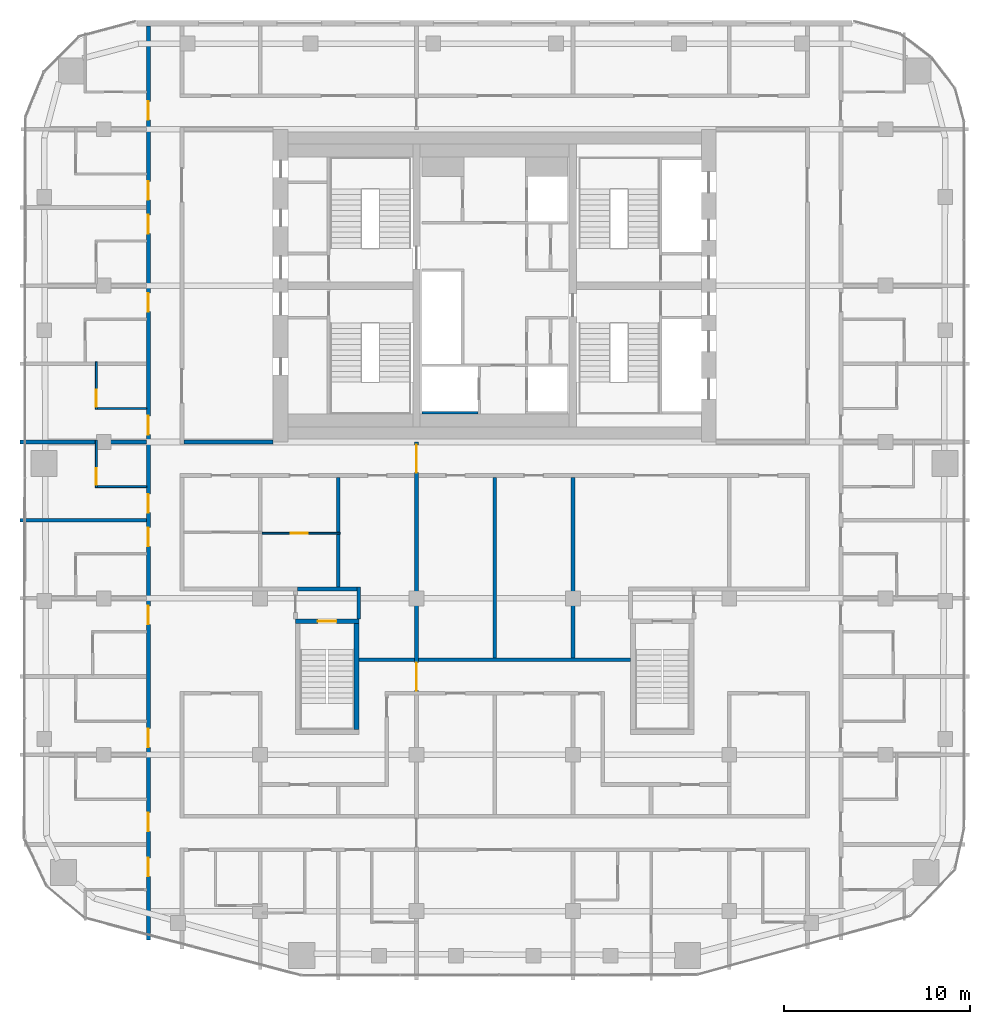
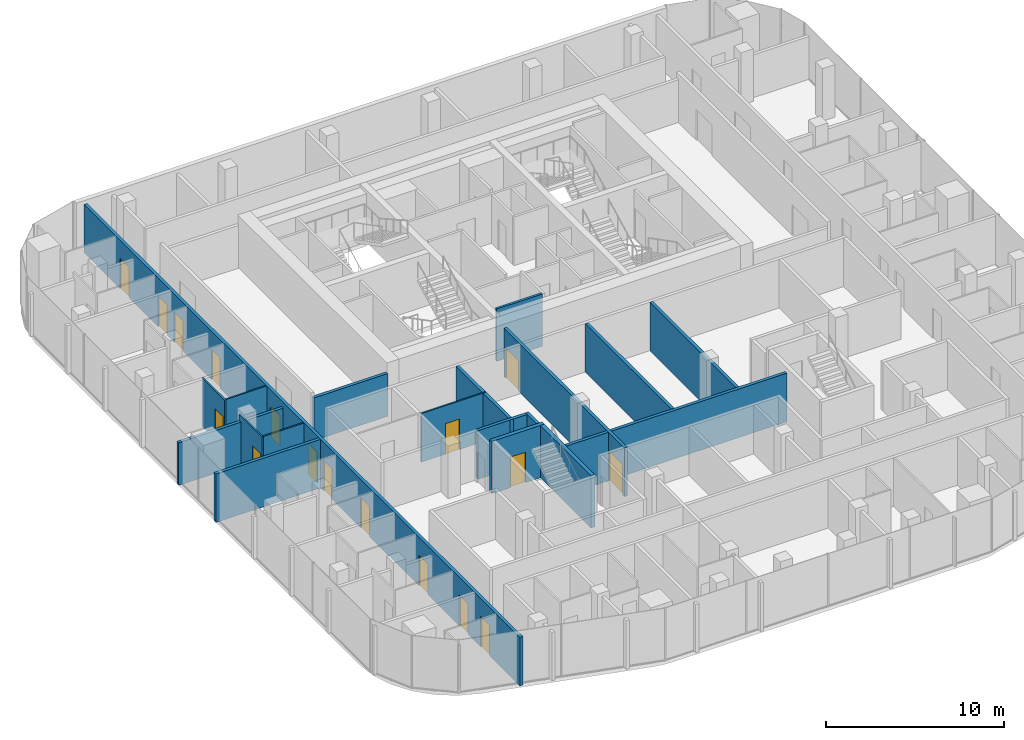
# One storey, part 15 of 22: 19 walls, 17 doors, 17 openings.
"""IFC4 building model written with IfcOpenShell, lengths in metres."""

from ifc_helpers import new_model, si_unit, direction, frame, frame_2d, origin, place, context, subcontext, project, spatial, rectangle, extrude, material, layer, layer_set, type_object, element, fill, save


model = new_model("IFC4")

# Units and contexts
model_context = context("Model", 3, precision=1e-05, world=origin(), true_north=direction((0.0, 1.0)))
body_context = subcontext(model_context, "Body", "Model", "MODEL_VIEW")
ifc_project = project(units=[si_unit("LENGTHUNIT", "METRE"), si_unit("AREAUNIT", "SQUARE_METRE"), si_unit("VOLUMEUNIT", "CUBIC_METRE"), si_unit("PLANEANGLEUNIT", "RADIAN"), si_unit("MASSUNIT", "GRAM", prefix="KILO")], contexts=[model_context])

# Site, building, storey
site_placement = place(None, origin())
site = spatial("IfcSite", under=ifc_project, at=site_placement, CompositionType="ELEMENT")
building_placement = place(site_placement, origin())
building = spatial("IfcBuilding", under=site, at=building_placement, Name="Marenta Gate Hotel Tower", CompositionType="ELEMENT")
storey_placement = place(building_placement, frame((0.0, 0.0, 187.699951171875)))
storey = spatial("IfcBuildingStorey", under=building, at=storey_placement, Name="L42", CompositionType="ELEMENT", Elevation=187.699951171875)

# Wall, openings, doors
ifc_material_1 = material(Name="Concrete blockwork", Category="masonry")
ifc_layer_1 = layer(ifc_material_1, 0.199951171875)
ifc_layer_set_1 = layer_set([ifc_layer_1], Name="Concrete blockwork")
wall_type_1 = type_object("IfcWallType", Name="Compartment wall 200 REI 180", PredefinedType="PARTITIONING", material=ifc_layer_set_1)
wall_1_placement = place(storey_placement, frame((-4.199951171875, -13.60009765625, 0.0), z_axis=(0.0, 0.0, 1.0), x_axis=(0.0, 1.0, 0.0)))
wall_1 = element("IfcWall", 1, at=wall_1_placement, inside=storey, type_object=wall_type_1, Name="L42-PTN-W081", PredefinedType="PARTITIONING", context=body_context, shape_type="SweptSolid", body=[
    extrude(rectangle(XDim=13.60009765625, YDim=0.199951171875, at=frame_2d((6.800048828125, 0.0))), origin(), (0.0, 0.0, 1.0), 3.340087890625),
])
opening_1_placement = place(wall_1_placement, frame((11.949951171875, 0.0, 0.0)))
opening_1 = element("IfcOpeningElement", 2, at=opening_1_placement, cuts=wall_1, Name="Opening G15-FD2", PredefinedType="OPENING", context=body_context, shape_type="SweptSolid", body=[
    extrude(rectangle(XDim=1.5, YDim=2.10009765625, at=frame_2d((0.75, 1.050048828125))), frame((0.0, 0.10009765625, 0.0), z_axis=(0.0, -1.0, 0.0), x_axis=(1.0, 0.0, 0.0)), (0.0, 0.0, 1.0), 0.199951171875),
])
opening_2_placement = place(wall_1_placement, frame((0.25, 0.0, 0.0)))
opening_2 = element("IfcOpeningElement", 3, at=opening_2_placement, cuts=wall_1, Name="Opening G15-FD3", PredefinedType="OPENING", context=body_context, shape_type="SweptSolid", body=[
    extrude(rectangle(XDim=1.5, YDim=2.10009765625, at=frame_2d((0.75, 1.050048828125))), frame((0.0, 0.10009765625, 0.0), z_axis=(0.0, -1.0, 0.0), x_axis=(1.0, 0.0, 0.0)), (0.0, 0.0, 1.0), 0.199951171875),
])
ifc_material_2 = material(Name="Hollow steel door set", Category="steel")
door_type_1 = type_object("IfcDoorType", Name="Compartment fire door 1500x2100 EI 60", OperationType="DOUBLE_DOOR_DOUBLE_SWING", PredefinedType="DOOR", material=ifc_material_2)
door_1_placement = place(opening_1_placement, origin())
door_1 = element("IfcDoor", 4, at=door_1_placement, inside=storey, type_object=door_type_1, Name="L42-PD-FD02", OperationType="DOUBLE_DOOR_DOUBLE_SWING", OverallHeight=2.10009765625, OverallWidth=1.5, PredefinedType="DOOR", context=body_context, shape_type="SweptSolid", body=[
    extrude(rectangle(XDim=1.5, YDim=2.10009765625, at=frame_2d((0.75, 1.050048828125))), frame((0.0, 0.02490234375, 0.0), z_axis=(0.0, -1.0, 0.0), x_axis=(1.0, 0.0, 0.0)), (0.0, 0.0, 1.0), 0.050048828125),
])
fill(opening_1, door_1)
door_2_placement = place(opening_2_placement, origin())
door_2 = element("IfcDoor", 5, at=door_2_placement, inside=storey, type_object=door_type_1, Name="L42-PD-FD03", OperationType="DOUBLE_DOOR_DOUBLE_SWING", OverallHeight=2.10009765625, OverallWidth=1.5, PredefinedType="DOOR", context=body_context, shape_type="SweptSolid", body=[
    extrude(rectangle(XDim=1.5, YDim=2.10009765625, at=frame_2d((0.75, 1.050048828125))), frame((0.0, 0.02490234375, 0.0), z_axis=(0.0, -1.0, 0.0), x_axis=(1.0, 0.0, 0.0)), (0.0, 0.0, 1.0), 0.050048828125),
])
fill(opening_2, door_2)

# Walls
ifc_material_3 = material(Name="Concrete blockwork", Category="masonry")
ifc_layer_2 = layer(ifc_material_3, 0.199951171875)
ifc_layer_set_2 = layer_set([ifc_layer_2], Name="Concrete blockwork")
wall_type_2 = type_object("IfcWallType", Name="Core boundary wall 200 REI 180", PredefinedType="PARTITIONING", material=ifc_layer_set_2)
wall_2_placement = place(storey_placement, frame((-16.699951171875, 0.0, 0.0), z_axis=(0.0, 0.0, 1.0), x_axis=(1.0, 0.0, 0.0)))
element("IfcWall", 6, at=wall_2_placement, inside=storey, type_object=wall_type_2, Name="L42-CP-EW-WS", PredefinedType="PARTITIONING", context=body_context, shape_type="SweptSolid", body=[
    extrude(rectangle(XDim=4.800048828125, YDim=0.199951171875, at=frame_2d((2.39990234375, 0.0))), origin(), (0.0, 0.0, 1.0), 2.93994140625),
])
ifc_material_4 = material(Name="Concrete C40", Category="concrete")
ifc_layer_3 = layer(ifc_material_4, 0.14990234375)
ifc_layer_set_3 = layer_set([ifc_layer_3], Name="Concrete C40")
wall_type_3 = type_object("IfcWallType", Name="Core shaft wall 150 REI 180", PredefinedType="SHEAR", material=ifc_layer_set_3)
wall_3_placement = place(storey_placement, frame((-3.89990234375, 1.574951171875, 0.0), z_axis=(0.0, 0.0, 1.0), x_axis=(1.0, 0.0, 0.0)))
element("IfcWall", 7, at=wall_3_placement, inside=storey, type_object=wall_type_3, Name="L42-SHF-CW-W-ffs", PredefinedType="SHEAR", context=body_context, shape_type="SweptSolid", body=[
    extrude(rectangle(XDim=3.0, YDim=0.14990234375, at=frame_2d((1.5, 0.0))), origin(), (0.0, 0.0, 1.0), 3.60009765625),
])

# Wall, opening, door
ifc_material_5 = material(Name="Concrete C40", Category="concrete")
ifc_layer_4 = layer(ifc_material_5, 0.25)
ifc_layer_set_4 = layer_set([ifc_layer_4], Name="Concrete C40")
wall_type_4 = type_object("IfcWallType", Name="Remote stair enclosure wall 250 REI 180", PredefinedType="SHEAR", material=ifc_layer_set_4)
wall_4_placement = place(storey_placement, frame((-10.699951171875, -9.625, 0.10009765625), z_axis=(0.0, 0.0, 1.0), x_axis=(1.0, 0.0, 0.0)))
wall_4 = element("IfcWall", 8, at=wall_4_placement, inside=storey, type_object=wall_type_4, Name="L42-RS-Z3-1-W2", PredefinedType="SHEAR", context=body_context, shape_type="SweptSolid", body=[
    extrude(rectangle(XDim=3.39990234375, YDim=0.25, at=frame_2d((1.699951171875, 0.0))), origin(), (0.0, 0.0, 1.0), 3.599853515625),
])
opening_3_placement = place(wall_4_placement, frame((1.199951171875, 0.0, 0.0)))
opening_3 = element("IfcOpeningElement", 9, at=opening_3_placement, cuts=wall_4, Name="Opening VD", PredefinedType="OPENING", context=body_context, shape_type="SweptSolid", body=[
    extrude(rectangle(XDim=1.0, YDim=2.10009765625, at=frame_2d((0.5, 1.050048828125))), frame((0.0, 0.125, 0.0), z_axis=(0.0, -1.0, 0.0), x_axis=(1.0, 0.0, 0.0)), (0.0, 0.0, 1.0), 0.25),
])
ifc_material_6 = material(Name="Steel", Category="steel")
door_type_2 = type_object("IfcDoorType", Name="Stair vestibule door 1000x2100 FD60", OperationType="SINGLE_SWING_LEFT", PredefinedType="DOOR", material=ifc_material_6)
door_3_placement = place(opening_3_placement, origin())
door_3 = element("IfcDoor", 10, at=door_3_placement, inside=storey, type_object=door_type_2, Name="VD", OperationType="SINGLE_SWING_LEFT", OverallHeight=2.10009765625, OverallWidth=1.0, PredefinedType="DOOR", context=body_context, shape_type="SweptSolid", body=[
    extrude(rectangle(XDim=1.0, YDim=2.10009765625, at=frame_2d((0.5, 1.050048828125))), frame((0.0, 0.02490234375, 0.0), z_axis=(0.0, -1.0, 0.0), x_axis=(1.0, 0.0, 0.0)), (0.0, 0.0, 1.0), 0.050048828125),
])
fill(opening_3, door_3)

# Walls
wall_5_placement = place(storey_placement, frame((-7.425048828125, -15.449951171875, 0.10009765625), z_axis=(0.0, 0.0, 1.0), x_axis=(0.0, 1.0, 0.0)))
element("IfcWall", 11, at=wall_5_placement, inside=storey, type_object=wall_type_4, Name="L42-RS-Z3-1-W4", PredefinedType="SHEAR", context=body_context, shape_type="SweptSolid", body=[
    extrude(rectangle(XDim=5.699951171875, YDim=0.25, at=frame_2d((2.85009765625, 0.0))), origin(), (0.0, 0.0, 1.0), 3.599853515625),
])
ifc_material_7 = material(Name="Gypsum board on steel stud", Category="steel")
ifc_layer_5 = layer(ifc_material_7, 0.199951171875)
ifc_layer_set_5 = layer_set([ifc_layer_5], Name="Gypsum board on steel stud")
wall_type_5 = type_object("IfcWallType", Name="Room corridor wall 200 EI 60", PredefinedType="PARTITIONING", material=ifc_layer_set_5)
wall_6_placement = place(storey_placement, frame((-7.300048828125, -11.699951171875, 0.0), z_axis=(0.0, 0.0, 1.0), x_axis=(1.0, 0.0, 0.0)))
element("IfcWall", 12, at=wall_6_placement, inside=storey, type_object=wall_type_5, Name="L42-PTN-W045", PredefinedType="PARTITIONING", context=body_context, shape_type="SweptSolid", body=[
    extrude(rectangle(XDim=14.60009765625, YDim=0.199951171875, at=frame_2d((7.300048828125, 0.0))), origin(), (0.0, 0.0, 1.0), 3.340087890625),
])

# Wall, openings, doors
wall_7_placement = place(storey_placement, frame((-18.60009765625, -26.7509765625, 0.0), z_axis=(0.0, 0.0, 1.0), x_axis=(0.0, 1.0, 0.0)))
wall_7 = element("IfcWall", 13, at=wall_7_placement, inside=storey, type_object=wall_type_5, Name="L42-PTN-W112", PredefinedType="PARTITIONING", context=body_context, shape_type="SweptSolid", body=[
    extrude(rectangle(XDim=49.091064453125, YDim=0.199951171875, at=frame_2d((24.54541015625, 0.0))), origin(), (0.0, 0.0, 1.0), 3.340087890625),
])
opening_4_placement = place(wall_7_placement, frame((3.4130859375, 0.0, 0.0)))
opening_4 = element("IfcOpeningElement", 14, at=opening_4_placement, cuts=wall_7, Name="Opening G15-54", PredefinedType="OPENING", context=body_context, shape_type="SweptSolid", body=[
    extrude(rectangle(XDim=1.0, YDim=2.10009765625, at=frame_2d((0.5, 1.050048828125))), frame((0.0, 0.10009765625, 0.0), z_axis=(0.0, -1.0, 0.0), x_axis=(1.0, 0.0, 0.0)), (0.0, 0.0, 1.0), 0.199951171875),
])
opening_5_placement = place(wall_7_placement, frame((5.837890625, 0.0, 0.0)))
opening_5 = element("IfcOpeningElement", 15, at=opening_5_placement, cuts=wall_7, Name="Opening G15-56", PredefinedType="OPENING", context=body_context, shape_type="SweptSolid", body=[
    extrude(rectangle(XDim=1.0, YDim=2.10009765625, at=frame_2d((0.5, 1.050048828125))), frame((0.0, 0.10009765625, 0.0), z_axis=(0.0, -1.0, 0.0), x_axis=(1.0, 0.0, 0.0)), (0.0, 0.0, 1.0), 0.199951171875),
])
opening_6_placement = place(wall_7_placement, frame((10.35107421875, 0.0, 0.0)))
opening_6 = element("IfcOpeningElement", 16, at=opening_6_placement, cuts=wall_7, Name="Opening G15-58", PredefinedType="OPENING", context=body_context, shape_type="SweptSolid", body=[
    extrude(rectangle(XDim=1.0, YDim=2.10009765625, at=frame_2d((0.5, 1.050048828125))), frame((0.0, 0.10009765625, 0.0), z_axis=(0.0, -1.0, 0.0), x_axis=(1.0, 0.0, 0.0)), (0.0, 0.0, 1.0), 0.199951171875),
])
opening_7_placement = place(wall_7_placement, frame((16.950927734375, 0.0, 0.0)))
opening_7 = element("IfcOpeningElement", 17, at=opening_7_placement, cuts=wall_7, Name="Opening G15-60", PredefinedType="OPENING", context=body_context, shape_type="SweptSolid", body=[
    extrude(rectangle(XDim=1.0, YDim=2.10009765625, at=frame_2d((0.5, 1.050048828125))), frame((0.0, 0.10009765625, 0.0), z_axis=(0.0, -1.0, 0.0), x_axis=(1.0, 0.0, 0.0)), (0.0, 0.0, 1.0), 0.199951171875),
])
opening_8_placement = place(wall_7_placement, frame((21.15087890625, 0.0, 0.0)))
opening_8 = element("IfcOpeningElement", 18, at=opening_8_placement, cuts=wall_7, Name="Opening G15-62", PredefinedType="OPENING", context=body_context, shape_type="SweptSolid", body=[
    extrude(rectangle(XDim=1.0, YDim=2.10009765625, at=frame_2d((0.5, 1.050048828125))), frame((0.0, 0.10009765625, 0.0), z_axis=(0.0, -1.0, 0.0), x_axis=(1.0, 0.0, 0.0)), (0.0, 0.0, 1.0), 0.199951171875),
])
opening_9_placement = place(wall_7_placement, frame((22.950927734375, 0.0, 0.0)))
opening_9 = element("IfcOpeningElement", 19, at=opening_9_placement, cuts=wall_7, Name="Opening G15-64", PredefinedType="OPENING", context=body_context, shape_type="SweptSolid", body=[
    extrude(rectangle(XDim=1.0, YDim=2.10009765625, at=frame_2d((0.5, 1.050048828125))), frame((0.0, 0.10009765625, 0.0), z_axis=(0.0, -1.0, 0.0), x_axis=(1.0, 0.0, 0.0)), (0.0, 0.0, 1.0), 0.199951171875),
])
opening_10_placement = place(wall_7_placement, frame((27.15087890625, 0.0, 0.0)))
opening_10 = element("IfcOpeningElement", 20, at=opening_10_placement, cuts=wall_7, Name="Opening G15-66", PredefinedType="OPENING", context=body_context, shape_type="SweptSolid", body=[
    extrude(rectangle(XDim=1.0, YDim=2.10009765625, at=frame_2d((0.5, 1.050048828125))), frame((0.0, 0.10009765625, 0.0), z_axis=(0.0, -1.0, 0.0), x_axis=(1.0, 0.0, 0.0)), (0.0, 0.0, 1.0), 0.199951171875),
])
opening_11_placement = place(wall_7_placement, frame((33.7509765625, 0.0, 0.0)))
opening_11 = element("IfcOpeningElement", 21, at=opening_11_placement, cuts=wall_7, Name="Opening G15-68", PredefinedType="OPENING", context=body_context, shape_type="SweptSolid", body=[
    extrude(rectangle(XDim=1.0, YDim=2.10009765625, at=frame_2d((0.5, 1.050048828125))), frame((0.0, 0.10009765625, 0.0), z_axis=(0.0, -1.0, 0.0), x_axis=(1.0, 0.0, 0.0)), (0.0, 0.0, 1.0), 0.199951171875),
])
opening_12_placement = place(wall_7_placement, frame((37.950927734375, 0.0, 0.0)))
opening_12 = element("IfcOpeningElement", 22, at=opening_12_placement, cuts=wall_7, Name="Opening G15-70", PredefinedType="OPENING", context=body_context, shape_type="SweptSolid", body=[
    extrude(rectangle(XDim=1.0, YDim=2.10009765625, at=frame_2d((0.5, 1.050048828125))), frame((0.0, 0.10009765625, 0.0), z_axis=(0.0, -1.0, 0.0), x_axis=(1.0, 0.0, 0.0)), (0.0, 0.0, 1.0), 0.199951171875),
])
opening_13_placement = place(wall_7_placement, frame((39.7509765625, 0.0, 0.0)))
opening_13 = element("IfcOpeningElement", 23, at=opening_13_placement, cuts=wall_7, Name="Opening G15-72", PredefinedType="OPENING", context=body_context, shape_type="SweptSolid", body=[
    extrude(rectangle(XDim=1.0, YDim=2.10009765625, at=frame_2d((0.5, 1.050048828125))), frame((0.0, 0.10009765625, 0.0), z_axis=(0.0, -1.0, 0.0), x_axis=(1.0, 0.0, 0.0)), (0.0, 0.0, 1.0), 0.199951171875),
])
opening_14_placement = place(wall_7_placement, frame((44.051025390625, 0.0, 0.0)))
opening_14 = element("IfcOpeningElement", 24, at=opening_14_placement, cuts=wall_7, Name="Opening G15-74", PredefinedType="OPENING", context=body_context, shape_type="SweptSolid", body=[
    extrude(rectangle(XDim=1.0, YDim=2.10009765625, at=frame_2d((0.5, 1.050048828125))), frame((0.0, 0.10009765625, 0.0), z_axis=(0.0, -1.0, 0.0), x_axis=(1.0, 0.0, 0.0)), (0.0, 0.0, 1.0), 0.199951171875),
])
ifc_material_8 = material(Name="Timber door leaf", Category="wood")
door_type_3 = type_object("IfcDoorType", Name="Guest room door 1000x2100 EI 30", OperationType="NOTDEFINED", PredefinedType="DOOR", material=ifc_material_8)
door_4_placement = place(opening_4_placement, origin())
door_4 = element("IfcDoor", 25, at=door_4_placement, inside=storey, type_object=door_type_3, Name="L42-PD-D054", OperationType="SINGLE_SWING_LEFT", OverallHeight=2.10009765625, OverallWidth=1.0, PredefinedType="DOOR", context=body_context, shape_type="SweptSolid", body=[
    extrude(rectangle(XDim=1.0, YDim=2.10009765625, at=frame_2d((0.5, 1.050048828125))), frame((0.0, 0.02490234375, 0.0), z_axis=(0.0, -1.0, 0.0), x_axis=(1.0, 0.0, 0.0)), (0.0, 0.0, 1.0), 0.050048828125),
])
fill(opening_4, door_4)
door_5_placement = place(opening_5_placement, origin())
door_5 = element("IfcDoor", 26, at=door_5_placement, inside=storey, type_object=door_type_3, Name="L42-PD-D056", OperationType="SINGLE_SWING_LEFT", OverallHeight=2.10009765625, OverallWidth=1.0, PredefinedType="DOOR", context=body_context, shape_type="SweptSolid", body=[
    extrude(rectangle(XDim=1.0, YDim=2.10009765625, at=frame_2d((0.5, 1.050048828125))), frame((0.0, 0.02490234375, 0.0), z_axis=(0.0, -1.0, 0.0), x_axis=(1.0, 0.0, 0.0)), (0.0, 0.0, 1.0), 0.050048828125),
])
fill(opening_5, door_5)
door_6_placement = place(opening_6_placement, origin())
door_6 = element("IfcDoor", 27, at=door_6_placement, inside=storey, type_object=door_type_3, Name="L42-PD-D058", OperationType="SINGLE_SWING_LEFT", OverallHeight=2.10009765625, OverallWidth=1.0, PredefinedType="DOOR", context=body_context, shape_type="SweptSolid", body=[
    extrude(rectangle(XDim=1.0, YDim=2.10009765625, at=frame_2d((0.5, 1.050048828125))), frame((0.0, 0.02490234375, 0.0), z_axis=(0.0, -1.0, 0.0), x_axis=(1.0, 0.0, 0.0)), (0.0, 0.0, 1.0), 0.050048828125),
])
fill(opening_6, door_6)
door_7_placement = place(opening_7_placement, origin())
door_7 = element("IfcDoor", 28, at=door_7_placement, inside=storey, type_object=door_type_3, Name="L42-PD-D060", OperationType="SINGLE_SWING_LEFT", OverallHeight=2.10009765625, OverallWidth=1.0, PredefinedType="DOOR", context=body_context, shape_type="SweptSolid", body=[
    extrude(rectangle(XDim=1.0, YDim=2.10009765625, at=frame_2d((0.5, 1.050048828125))), frame((0.0, 0.02490234375, 0.0), z_axis=(0.0, -1.0, 0.0), x_axis=(1.0, 0.0, 0.0)), (0.0, 0.0, 1.0), 0.050048828125),
])
fill(opening_7, door_7)
door_8_placement = place(opening_8_placement, origin())
door_8 = element("IfcDoor", 29, at=door_8_placement, inside=storey, type_object=door_type_3, Name="L42-PD-D062", OperationType="SINGLE_SWING_LEFT", OverallHeight=2.10009765625, OverallWidth=1.0, PredefinedType="DOOR", context=body_context, shape_type="SweptSolid", body=[
    extrude(rectangle(XDim=1.0, YDim=2.10009765625, at=frame_2d((0.5, 1.050048828125))), frame((0.0, 0.02490234375, 0.0), z_axis=(0.0, -1.0, 0.0), x_axis=(1.0, 0.0, 0.0)), (0.0, 0.0, 1.0), 0.050048828125),
])
fill(opening_8, door_8)
door_9_placement = place(opening_9_placement, origin())
door_9 = element("IfcDoor", 30, at=door_9_placement, inside=storey, type_object=door_type_3, Name="L42-PD-D064", OperationType="SINGLE_SWING_LEFT", OverallHeight=2.10009765625, OverallWidth=1.0, PredefinedType="DOOR", context=body_context, shape_type="SweptSolid", body=[
    extrude(rectangle(XDim=1.0, YDim=2.10009765625, at=frame_2d((0.5, 1.050048828125))), frame((0.0, 0.02490234375, 0.0), z_axis=(0.0, -1.0, 0.0), x_axis=(1.0, 0.0, 0.0)), (0.0, 0.0, 1.0), 0.050048828125),
])
fill(opening_9, door_9)
door_10_placement = place(opening_10_placement, origin())
door_10 = element("IfcDoor", 31, at=door_10_placement, inside=storey, type_object=door_type_3, Name="L42-PD-D066", OperationType="SINGLE_SWING_LEFT", OverallHeight=2.10009765625, OverallWidth=1.0, PredefinedType="DOOR", context=body_context, shape_type="SweptSolid", body=[
    extrude(rectangle(XDim=1.0, YDim=2.10009765625, at=frame_2d((0.5, 1.050048828125))), frame((0.0, 0.02490234375, 0.0), z_axis=(0.0, -1.0, 0.0), x_axis=(1.0, 0.0, 0.0)), (0.0, 0.0, 1.0), 0.050048828125),
])
fill(opening_10, door_10)
door_11_placement = place(opening_11_placement, origin())
door_11 = element("IfcDoor", 32, at=door_11_placement, inside=storey, type_object=door_type_3, Name="L42-PD-D068", OperationType="SINGLE_SWING_LEFT", OverallHeight=2.10009765625, OverallWidth=1.0, PredefinedType="DOOR", context=body_context, shape_type="SweptSolid", body=[
    extrude(rectangle(XDim=1.0, YDim=2.10009765625, at=frame_2d((0.5, 1.050048828125))), frame((0.0, 0.02490234375, 0.0), z_axis=(0.0, -1.0, 0.0), x_axis=(1.0, 0.0, 0.0)), (0.0, 0.0, 1.0), 0.050048828125),
])
fill(opening_11, door_11)
door_12_placement = place(opening_12_placement, origin())
door_12 = element("IfcDoor", 33, at=door_12_placement, inside=storey, type_object=door_type_3, Name="L42-PD-D070", OperationType="SINGLE_SWING_LEFT", OverallHeight=2.10009765625, OverallWidth=1.0, PredefinedType="DOOR", context=body_context, shape_type="SweptSolid", body=[
    extrude(rectangle(XDim=1.0, YDim=2.10009765625, at=frame_2d((0.5, 1.050048828125))), frame((0.0, 0.02490234375, 0.0), z_axis=(0.0, -1.0, 0.0), x_axis=(1.0, 0.0, 0.0)), (0.0, 0.0, 1.0), 0.050048828125),
])
fill(opening_12, door_12)
door_13_placement = place(opening_13_placement, origin())
door_13 = element("IfcDoor", 34, at=door_13_placement, inside=storey, type_object=door_type_3, Name="L42-PD-D072", OperationType="SINGLE_SWING_LEFT", OverallHeight=2.10009765625, OverallWidth=1.0, PredefinedType="DOOR", context=body_context, shape_type="SweptSolid", body=[
    extrude(rectangle(XDim=1.0, YDim=2.10009765625, at=frame_2d((0.5, 1.050048828125))), frame((0.0, 0.02490234375, 0.0), z_axis=(0.0, -1.0, 0.0), x_axis=(1.0, 0.0, 0.0)), (0.0, 0.0, 1.0), 0.050048828125),
])
fill(opening_13, door_13)
door_14_placement = place(opening_14_placement, origin())
door_14 = element("IfcDoor", 35, at=door_14_placement, inside=storey, type_object=door_type_3, Name="L42-PD-D074", OperationType="SINGLE_SWING_LEFT", OverallHeight=2.10009765625, OverallWidth=1.0, PredefinedType="DOOR", context=body_context, shape_type="SweptSolid", body=[
    extrude(rectangle(XDim=1.0, YDim=2.10009765625, at=frame_2d((0.5, 1.050048828125))), frame((0.0, 0.02490234375, 0.0), z_axis=(0.0, -1.0, 0.0), x_axis=(1.0, 0.0, 0.0)), (0.0, 0.0, 1.0), 0.050048828125),
])
fill(opening_14, door_14)

# Wall, opening, door
ifc_material_9 = material(Name="Gypsum board on steel stud", Category="steel")
ifc_layer_6 = layer(ifc_material_9, 0.10009765625)
ifc_layer_set_6 = layer_set([ifc_layer_6], Name="Gypsum board on steel stud")
wall_type_6 = type_object("IfcWallType", Name="Room partition 100", PredefinedType="PARTITIONING", material=ifc_layer_set_6)
wall_8_placement = place(storey_placement, frame((-12.5, -4.89990234375, 0.0), z_axis=(0.0, 0.0, 1.0), x_axis=(1.0, 0.0, 0.0)))
wall_8 = element("IfcWall", 36, at=wall_8_placement, inside=storey, type_object=wall_type_6, Name="L42-PTN-W062", PredefinedType="PARTITIONING", context=body_context, shape_type="SweptSolid", body=[
    extrude(rectangle(XDim=4.199951171875, YDim=0.10009765625, at=frame_2d((2.10009765625, 0.0))), origin(), (0.0, 0.0, 1.0), 3.340087890625),
])
opening_15_placement = place(wall_8_placement, frame((1.550048828125, 0.0, 0.0)))
opening_15 = element("IfcOpeningElement", 37, at=opening_15_placement, cuts=wall_8, Name="Opening G15-04", PredefinedType="OPENING", context=body_context, shape_type="SweptSolid", body=[
    extrude(rectangle(XDim=0.89990234375, YDim=2.10009765625, at=frame_2d((0.449951171875, 1.050048828125))), frame((0.0, 0.050048828125, 0.0), z_axis=(0.0, -1.0, 0.0), x_axis=(1.0, 0.0, 0.0)), (0.0, 0.0, 1.0), 0.10009765625),
])
ifc_material_10 = material(Name="Timber door leaf", Category="wood")
door_type_4 = type_object("IfcDoorType", Name="Room inner door 900x2100", OperationType="NOTDEFINED", PredefinedType="DOOR", material=ifc_material_10)
door_15_placement = place(opening_15_placement, origin())
door_15 = element("IfcDoor", 38, at=door_15_placement, inside=storey, type_object=door_type_4, Name="L42-PD-D004", OperationType="SINGLE_SWING_RIGHT", OverallHeight=2.10009765625, OverallWidth=0.89990234375, PredefinedType="DOOR", context=body_context, shape_type="SweptSolid", body=[
    extrude(rectangle(XDim=0.89990234375, YDim=2.10009765625, at=frame_2d((0.449951171875, 1.050048828125))), frame((0.0, 0.02490234375, 0.0), z_axis=(0.0, -1.0, 0.0), x_axis=(1.0, 0.0, 0.0)), (0.0, 0.0, 1.0), 0.050048828125),
])
fill(opening_15, door_15)

# Walls
for number, where, z_axis, x_axis, name in (
    (39, (-21.35009765625, -2.39990234375, 0.0), (0.0, 0.0, 1.0), (1.0, 0.0, 0.0), "L42-PTN-W070"),
    (40, (-21.35009765625, 1.800048828125, 0.0), (0.0, 0.0, 1.0), (1.0, 0.0, 0.0), "L42-PTN-W077"),
):
    element("IfcWall", number, at=place(storey_placement, frame(where, z_axis=z_axis, x_axis=x_axis)), inside=storey, type_object=wall_type_6, Name=name, PredefinedType="PARTITIONING", context=body_context, shape_type="SweptSolid", body=[
        extrude(rectangle(XDim=2.650146484375, YDim=0.10009765625, at=frame_2d((1.3251953125, 0.0))), origin(), (0.0, 0.0, 1.0), 3.340087890625),
    ])

# Wall, opening, door
wall_9_placement = place(storey_placement, frame((-21.39990234375, -2.449951171875, 0.0), z_axis=(0.0, 0.0, 1.0), x_axis=(0.0, 1.0, 0.0)))
wall_9 = element("IfcWall", 41, at=wall_9_placement, inside=storey, type_object=wall_type_6, Name="L42-PTN-W116", PredefinedType="PARTITIONING", context=body_context, shape_type="SweptSolid", body=[
    extrude(rectangle(XDim=2.550048828125, YDim=0.10009765625, at=frame_2d((1.27490234375, 0.0))), origin(), (0.0, 0.0, 1.0), 3.340087890625),
])
opening_16_placement = place(wall_9_placement, frame((0.14990234375, 0.0, 0.0)))
opening_16 = element("IfcOpeningElement", 42, at=opening_16_placement, cuts=wall_9, Name="Opening G15-65", PredefinedType="OPENING", context=body_context, shape_type="SweptSolid", body=[
    extrude(rectangle(XDim=0.89990234375, YDim=2.10009765625, at=frame_2d((0.449951171875, 1.050048828125))), frame((0.0, 0.050048828125, 0.0), z_axis=(0.0, -1.0, 0.0), x_axis=(1.0, 0.0, 0.0)), (0.0, 0.0, 1.0), 0.10009765625),
])
ifc_material_11 = material(Name="Timber door leaf", Category="wood")
door_type_5 = type_object("IfcDoorType", Name="Guest bathroom door 900x2100", OperationType="NOTDEFINED", PredefinedType="DOOR", material=ifc_material_11)
door_16_placement = place(opening_16_placement, origin())
door_16 = element("IfcDoor", 43, at=door_16_placement, inside=storey, type_object=door_type_5, Name="L42-PD-D065", OperationType="SINGLE_SWING_RIGHT", OverallHeight=2.10009765625, OverallWidth=0.89990234375, PredefinedType="DOOR", context=body_context, shape_type="SweptSolid", body=[
    extrude(rectangle(XDim=0.89990234375, YDim=2.10009765625, at=frame_2d((0.449951171875, 1.050048828125))), frame((0.0, 0.02490234375, 0.0), z_axis=(0.0, -1.0, 0.0), x_axis=(1.0, 0.0, 0.0)), (0.0, 0.0, 1.0), 0.050048828125),
])
fill(opening_16, door_16)

wall_10_placement = place(storey_placement, frame((-21.39990234375, 1.75, 0.0), z_axis=(0.0, 0.0, 1.0), x_axis=(0.0, 1.0, 0.0)))
wall_10 = element("IfcWall", 44, at=wall_10_placement, inside=storey, type_object=wall_type_6, Name="L42-PTN-W117", PredefinedType="PARTITIONING", context=body_context, shape_type="SweptSolid", body=[
    extrude(rectangle(XDim=2.550048828125, YDim=0.10009765625, at=frame_2d((1.27490234375, 0.0))), origin(), (0.0, 0.0, 1.0), 3.340087890625),
])
opening_17_placement = place(wall_10_placement, frame((0.14990234375, 0.0, 0.0)))
opening_17 = element("IfcOpeningElement", 45, at=opening_17_placement, cuts=wall_10, Name="Opening G15-67", PredefinedType="OPENING", context=body_context, shape_type="SweptSolid", body=[
    extrude(rectangle(XDim=0.89990234375, YDim=2.10009765625, at=frame_2d((0.449951171875, 1.050048828125))), frame((0.0, 0.050048828125, 0.0), z_axis=(0.0, -1.0, 0.0), x_axis=(1.0, 0.0, 0.0)), (0.0, 0.0, 1.0), 0.10009765625),
])
door_17_placement = place(opening_17_placement, origin())
door_17 = element("IfcDoor", 46, at=door_17_placement, inside=storey, type_object=door_type_5, Name="L42-PD-D067", OperationType="SINGLE_SWING_RIGHT", OverallHeight=2.10009765625, OverallWidth=0.89990234375, PredefinedType="DOOR", context=body_context, shape_type="SweptSolid", body=[
    extrude(rectangle(XDim=0.89990234375, YDim=2.10009765625, at=frame_2d((0.449951171875, 1.050048828125))), frame((0.0, 0.02490234375, 0.0), z_axis=(0.0, -1.0, 0.0), x_axis=(1.0, 0.0, 0.0)), (0.0, 0.0, 1.0), 0.050048828125),
])
fill(opening_17, door_17)

# Walls
ifc_material_12 = material(Name="Concrete blockwork", Category="masonry")
ifc_layer_7 = layer(ifc_material_12, 0.199951171875)
ifc_layer_set_7 = layer_set([ifc_layer_7], Name="Concrete blockwork")
wall_type_7 = type_object("IfcWallType", Name="Room party wall 200 EI 120", PredefinedType="PARTITIONING", material=ifc_layer_set_7)
wall_11_placement = place(storey_placement, frame((-8.39990234375, -8.0, 0.0), z_axis=(0.0, 0.0, 1.0), x_axis=(0.0, 1.0, 0.0)))
element("IfcWall", 47, at=wall_11_placement, inside=storey, type_object=wall_type_7, Name="L42-PTN-W092", PredefinedType="PARTITIONING", context=body_context, shape_type="SweptSolid", body=[
    extrude(rectangle(XDim=6.10009765625, YDim=0.199951171875, at=frame_2d((3.050048828125, 0.0))), origin(), (0.0, 0.0, 1.0), 3.340087890625),
])
ifc_material_13 = material(Name="Gypsum board on steel stud", Category="steel")
ifc_layer_8 = layer(ifc_material_13, 0.199951171875)
ifc_layer_set_8 = layer_set([ifc_layer_8], Name="Gypsum board on steel stud")
wall_type_8 = type_object("IfcWallType", Name="Room party wall 200 EI 60", PredefinedType="PARTITIONING", material=ifc_layer_set_8)
wall_12_placement = place(storey_placement, frame((4.199951171875, -11.60009765625, 0.0), z_axis=(0.0, 0.0, 1.0), x_axis=(0.0, 1.0, 0.0)))
element("IfcWall", 48, at=wall_12_placement, inside=storey, type_object=wall_type_8, Name="L42-PTN-W066", PredefinedType="PARTITIONING", context=body_context, shape_type="SweptSolid", body=[
    extrude(rectangle(XDim=9.7001953125, YDim=0.199951171875, at=frame_2d((4.85009765625, 0.0))), origin(), (0.0, 0.0, 1.0), 3.340087890625),
])
wall_13_placement = place(storey_placement, frame((-25.5, -4.199951171875, 0.0), z_axis=(0.0, 0.0, 1.0), x_axis=(1.0, 0.0, 0.0)))
element("IfcWall", 49, at=wall_13_placement, inside=storey, type_object=wall_type_8, Name="L42-PTN-W068", PredefinedType="PARTITIONING", context=body_context, shape_type="SweptSolid", body=[
    extrude(rectangle(XDim=6.800048828125, YDim=0.199951171875, at=frame_2d((3.39990234375, 0.0))), origin(), (0.0, 0.0, 1.0), 3.340087890625),
])
wall_14_placement = place(storey_placement, frame((0.0, -11.60009765625, 0.0), z_axis=(0.0, 0.0, 1.0), x_axis=(0.0, 1.0, 0.0)))
element("IfcWall", 50, at=wall_14_placement, inside=storey, type_object=wall_type_8, Name="L42-PTN-W074", PredefinedType="PARTITIONING", context=body_context, shape_type="SweptSolid", body=[
    extrude(rectangle(XDim=9.7001953125, YDim=0.199951171875, at=frame_2d((4.85009765625, 0.0))), origin(), (0.0, 0.0, 1.0), 3.340087890625),
])
wall_15_placement = place(storey_placement, frame((-25.5, 0.0, 0.0), z_axis=(0.0, 0.0, 1.0), x_axis=(1.0, 0.0, 0.0)))
element("IfcWall", 51, at=wall_15_placement, inside=storey, type_object=wall_type_8, Name="L42-PTN-W075", PredefinedType="PARTITIONING", context=body_context, shape_type="SweptSolid", body=[
    extrude(rectangle(XDim=6.800048828125, YDim=0.199951171875, at=frame_2d((3.39990234375, 0.0))), origin(), (0.0, 0.0, 1.0), 2.93994140625),
])
ifc_material_14 = material(Name="Concrete blockwork", Category="masonry")
ifc_layer_9 = layer(ifc_material_14, 0.199951171875)
ifc_layer_set_9 = layer_set([ifc_layer_9], Name="Concrete blockwork")
wall_type_9 = type_object("IfcWallType", Name="Room party wall 200 REI 180", PredefinedType="PARTITIONING", material=ifc_layer_set_9)
wall_16_placement = place(storey_placement, frame((-10.60009765625, -7.89990234375, 0.0), z_axis=(0.0, 0.0, 1.0), x_axis=(1.0, 0.0, 0.0)))
element("IfcWall", 52, at=wall_16_placement, inside=storey, type_object=wall_type_9, Name="L42-PTN-W055", PredefinedType="PARTITIONING", context=body_context, shape_type="SweptSolid", body=[
    extrude(rectangle(XDim=3.2001953125, YDim=0.199951171875, at=frame_2d((1.60009765625, 0.0))), origin(), (0.0, 0.0, 1.0), 3.340087890625),
])
wall_17_placement = place(storey_placement, frame((-7.300048828125, -9.5, 0.0), z_axis=(0.0, 0.0, 1.0), x_axis=(0.0, 1.0, 0.0)))
element("IfcWall", 53, at=wall_17_placement, inside=storey, type_object=wall_type_9, Name="L42-PTN-W089", PredefinedType="PARTITIONING", context=body_context, shape_type="SweptSolid", body=[
    extrude(rectangle(XDim=1.699951171875, YDim=0.199951171875, at=frame_2d((0.85009765625, 0.0))), origin(), (0.0, 0.0, 1.0), 3.340087890625),
])

save(model, "model.ifc")
